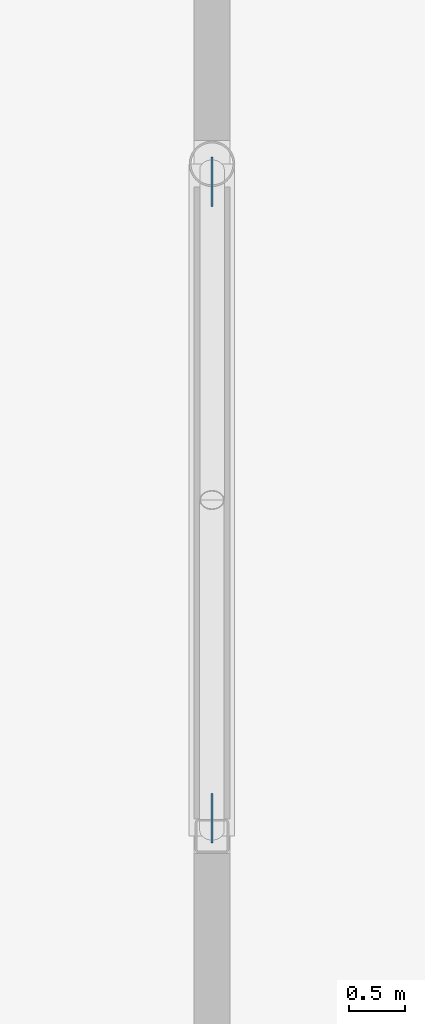
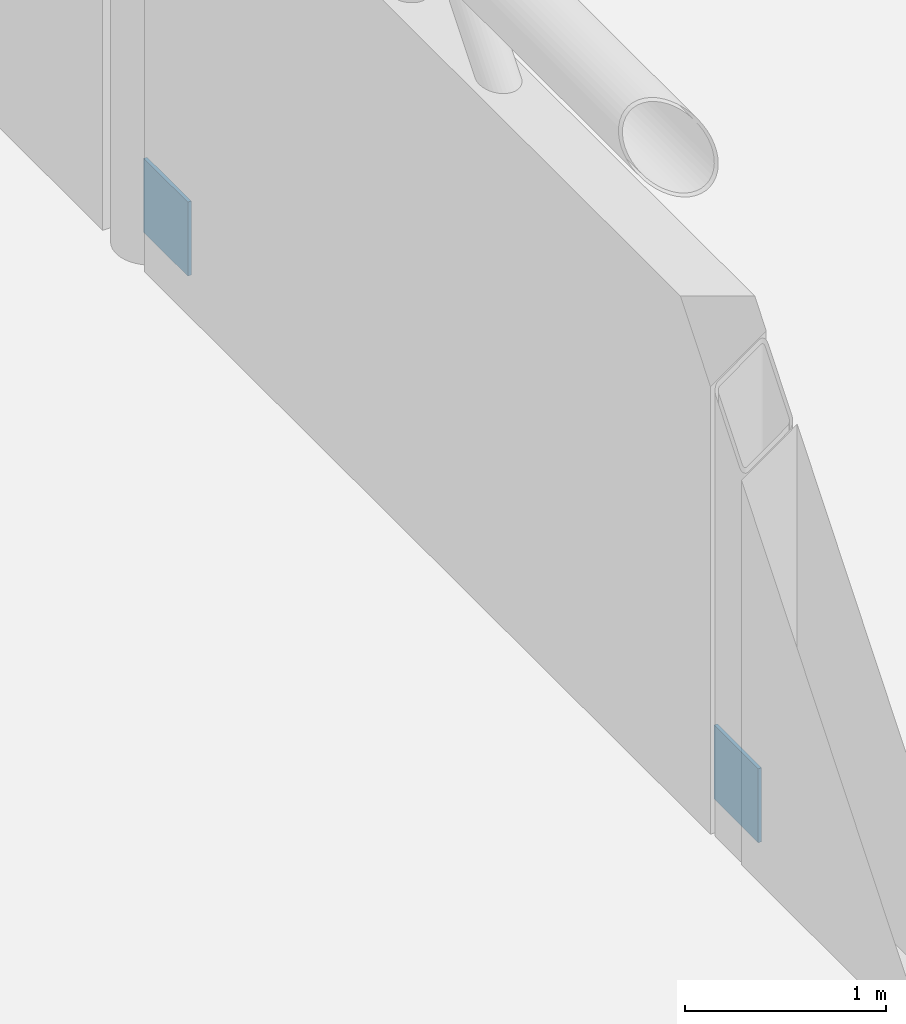
# One storey, part 72 of 83: 2 discrete accessories.
"""IFC4 building model written with IfcOpenShell, lengths in metres."""

from ifc_helpers import new_model, si_unit, direction, frame, origin, origin_2d, place, context, subcontext, project, spatial, rectangle, extrude, material, layer, layer_set, type_object, element, save


model = new_model("IFC4")

# Units and contexts
model_context = context("Model", 3, precision=1e-05, world=origin(), true_north=direction((0.0, 1.0)))
body_context = subcontext(model_context, "Body", "Model", "MODEL_VIEW")
ifc_project = project(units=[si_unit("LENGTHUNIT", "METRE"), si_unit("AREAUNIT", "SQUARE_METRE"), si_unit("VOLUMEUNIT", "CUBIC_METRE"), si_unit("PLANEANGLEUNIT", "RADIAN"), si_unit("MASSUNIT", "GRAM", prefix="KILO")], contexts=[model_context])

# Site, building, storey
site_placement = place(None, origin())
site = spatial("IfcSite", under=ifc_project, at=site_placement, CompositionType="ELEMENT")
building_placement = place(site_placement, origin())
building = spatial("IfcBuilding", under=site, at=building_placement, Name="Varnakota Square Police Headquarters", CompositionType="ELEMENT")
storey_placement = place(building_placement, frame((0.0, 0.0, 18.0)))
storey = spatial("IfcBuildingStorey", under=building, at=storey_placement, Name="L04", CompositionType="ELEMENT", Elevation=18.0)

# Discrete accessories
ifc_material = material(Name="Steel IS 2062 Grade 350", Category="steel")
ifc_layer = layer(ifc_material, 0.64990234375, Name="Steel IS 2062 Grade 350")
ifc_layer_set = layer_set([ifc_layer], Name="Steel IS 2062 Grade 350")
discrete_accessory_type = type_object("IfcDiscreteAccessoryType", Name="ACC-EMB-350", PredefinedType="BRACKET", material=ifc_layer_set)
for number, where, z_axis, x_axis, name in (
    (1, (96.0, 81.159912109375, 0.02490234375), (0.0, 0.0, 1.0), (0.0, 1.0, 0.0), "Brace gusset connection plate BF6 L04 L"),
    (2, (96.0, 86.840087890625, 0.02490234375), (0.0, 0.0, 1.0), (0.0, 1.0, 0.0), "Brace gusset connection plate BF6 L04 R"),
):
    element("IfcDiscreteAccessory", number, at=place(storey_placement, frame(where, z_axis=z_axis, x_axis=x_axis)), inside=storey, type_object=discrete_accessory_type, Name=name, PredefinedType="BRACKET", context=body_context, shape_type="SweptSolid", body=[
        extrude(rectangle(XDim=0.43994140625, YDim=0.02001953125, at=origin_2d()), origin(), (0.0, 0.0, 1.0), 0.449951171875),
    ])

save(model, "model.ifc")
